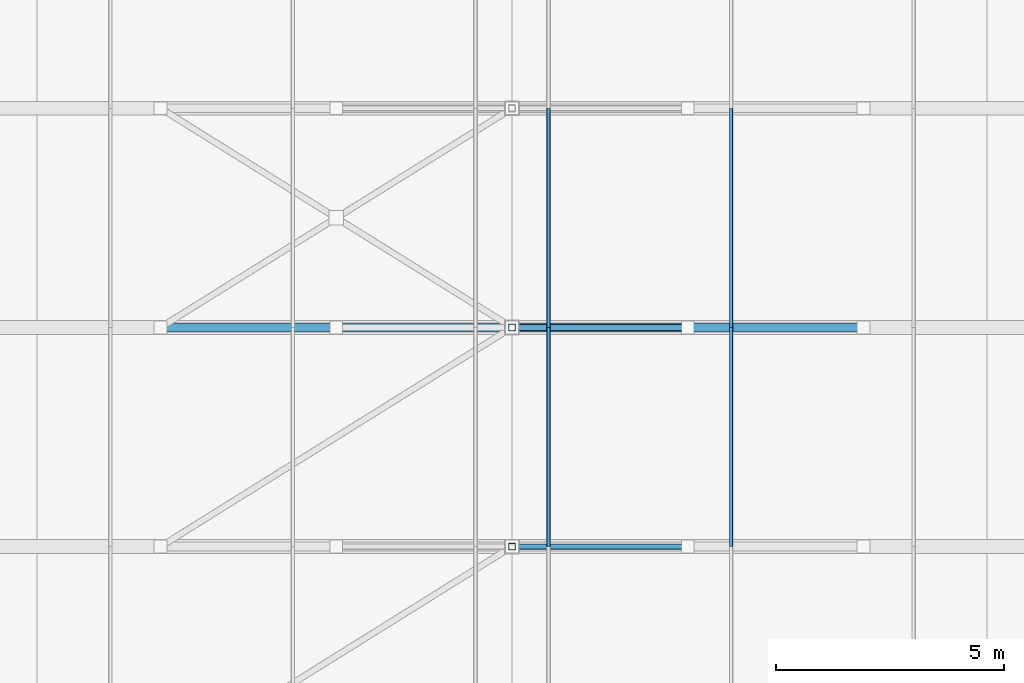
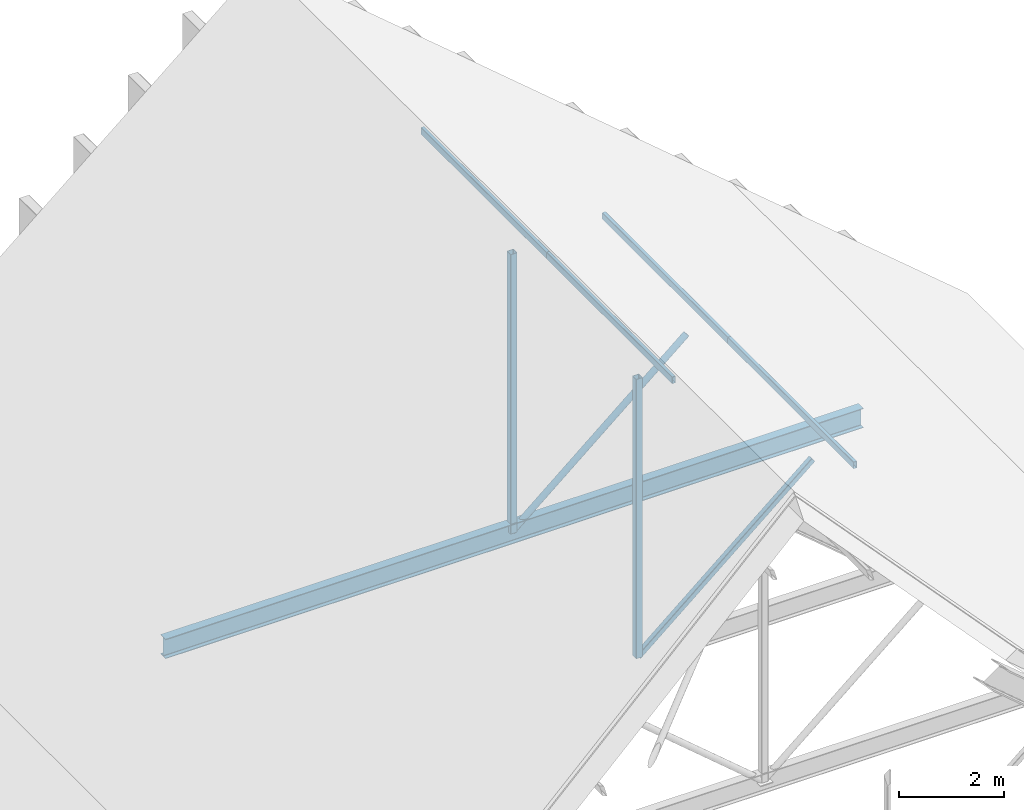
# One storey, part 31 of 60: 8 members, 1 beam.
"""IFC4 building model written with IfcOpenShell, lengths in metres."""

from ifc_helpers import new_model, si_unit, direction, frame, origin, origin_2d, place, context, subcontext, project, spatial, hollow_rectangle, hollow_circle, i_section, extrude, material, material_profile, profile_set, type_object, element, save


model = new_model("IFC4")

# Units and contexts
model_context = context("Model", 3, precision=1e-05, world=origin(), true_north=direction((0.0, 1.0)))
body_context = subcontext(model_context, "Body", "Model", "MODEL_VIEW")
ifc_project = project(units=[si_unit("LENGTHUNIT", "METRE"), si_unit("AREAUNIT", "SQUARE_METRE"), si_unit("VOLUMEUNIT", "CUBIC_METRE"), si_unit("PLANEANGLEUNIT", "RADIAN"), si_unit("MASSUNIT", "GRAM", prefix="KILO")], contexts=[model_context])

# Site, building, storey
site_placement = place(None, origin())
site = spatial("IfcSite", under=ifc_project, at=site_placement, CompositionType="ELEMENT")
building_placement = place(site_placement, origin())
building = spatial("IfcBuilding", under=site, at=building_placement, Name="Nakhvara Creek Congress Hotel", CompositionType="ELEMENT")
storey_placement = place(building_placement, frame((0.0, 0.0, 54.60009765625)))
storey = spatial("IfcBuildingStorey", under=building, at=storey_placement, Name="RL1", CompositionType="ELEMENT", Elevation=54.60009765625)

# Beam
ifc_material_1 = material(Name="Steel S355J2", Category="steel")
ifc_material_profile_1 = material_profile(ifc_material_1, i_section(OverallWidth=0.1904296875, OverallDepth=0.45703125, WebThickness=0.009033203125, FlangeThickness=0.014404296875, FilletRadius=0.01025390625, at=origin_2d()), Name="UB 457x191x74", Category="LoadBearing")
ifc_profile_set_1 = profile_set([ifc_material_profile_1], Name="Steel S355J2")
beam_type = type_object("IfcBeamType", Name="BM-ST-UB457", PredefinedType="BEAM", material=ifc_profile_set_1)
beam_placement = place(storey_placement, frame((156.70166015625, 116.39990234375, 1.599853515625), z_axis=(1.0, 0.0, 0.0), x_axis=(0.0, 1.0, 0.0)))
element("IfcBeam", 1, at=beam_placement, inside=storey, type_object=beam_type, Name="Hotel Gothic Gable Collar Tie 10", PredefinedType="BEAM", context=body_context, shape_type="SweptSolid", body=[
    extrude(i_section(OverallWidth=0.1904296875, OverallDepth=0.45703125, WebThickness=0.009033203125, FlangeThickness=0.014404296875, FilletRadius=0.01025390625, at=origin_2d()), origin(), (0.0, 0.0, 1.0), 15.396728515625),
])

# Members
ifc_material_2 = material(Name="Steel S355J2H", Category="steel")
ifc_material_profile_2 = material_profile(ifc_material_2, hollow_circle(Radius=0.06982421875, WallThickness=0.008056640625, at=origin_2d()), Name="CHS 139.7x8.0", Category="LoadBearing")
ifc_profile_set_2 = profile_set([ifc_material_profile_2], Name="Steel S355J2H")
member_type_1 = type_object("IfcMemberType", Name="MEM-BRC-CHS139H", PredefinedType="BRACE", material=ifc_profile_set_2)
member_1_placement = place(storey_placement, frame((164.39990234375, 116.39990234375, 1.599853515625), z_axis=(0.763373429147, 0.0, 0.645957434876), x_axis=(0.0, 1.0, 0.0)))
element("IfcMember", 2, at=member_1_placement, inside=storey, type_object=member_type_1, Name="Hotel Gable Web Brace E-10", PredefinedType="BRACE", context=body_context, shape_type="SweptSolid", body=[
    extrude(hollow_circle(Radius=0.06982421875, WallThickness=0.008056640625, at=origin_2d()), origin(), (0.0, 0.0, 1.0), 5.042236328125),
])
ifc_material_profile_3 = material_profile(ifc_material_2, hollow_rectangle(XDim=0.1201171875, YDim=0.1201171875, WallThickness=0.008056640625, InnerFilletRadius=0.008056640625, OuterFilletRadius=0.01611328125, at=origin_2d()), Name="SHS 120x120x8.0", Category="LoadBearing")
ifc_profile_set_3 = profile_set([ifc_material_profile_3], Name="Steel S355J2H")
member_type_2 = type_object("IfcMemberType", Name="MEM-BRC-SHS120", PredefinedType="BRACE", material=ifc_profile_set_3)
member_2_placement = place(storey_placement, frame((164.39990234375, 111.60009765625, 1.599853515625), z_axis=(0.763373429147, 0.0, 0.645957434876), x_axis=(0.0, 1.0, 0.0)))
element("IfcMember", 3, at=member_2_placement, inside=storey, type_object=member_type_2, Name="Hotel Gable Web Brace E-09", PredefinedType="BRACE", context=body_context, shape_type="SweptSolid", body=[
    extrude(hollow_rectangle(XDim=0.1201171875, YDim=0.1201171875, WallThickness=0.008056640625, InnerFilletRadius=0.008056640625, OuterFilletRadius=0.01611328125, at=origin_2d()), origin(), (0.0, 0.0, 1.0), 5.042236328125),
])
ifc_material_profile_4 = material_profile(ifc_material_2, hollow_rectangle(XDim=0.080078125, YDim=0.159912109375, WallThickness=0.00634765625, InnerFilletRadius=0.00634765625, OuterFilletRadius=0.0126953125, at=origin_2d()), Name="RHS 160x80x6.3", Category="LoadBearing")
ifc_profile_set_4 = profile_set([ifc_material_profile_4], Name="Steel S355J2H")
member_type_3 = type_object("IfcMemberType", Name="MEM-PUR-RHS160", PredefinedType="PURLIN", material=ifc_profile_set_4)
member_3_placement = place(storey_placement, frame((165.199951171875, 111.60009765625, 7.7568359375), z_axis=(0.0, 1.0, 0.0), x_axis=(-1.0, 0.0, 0.0)))
element("IfcMember", 4, at=member_3_placement, inside=storey, type_object=member_type_3, Name="Hotel Gable Purlin PR03-5.09", PredefinedType="PURLIN", context=body_context, shape_type="SweptSolid", body=[
    extrude(hollow_rectangle(XDim=0.080078125, YDim=0.159912109375, WallThickness=0.00634765625, InnerFilletRadius=0.00634765625, OuterFilletRadius=0.0126953125, at=origin_2d()), origin(), (0.0, 0.0, 1.0), 4.7998046875),
])
member_4_placement = place(storey_placement, frame((165.199951171875, 116.39990234375, 7.7568359375), z_axis=(0.0, 1.0, 0.0), x_axis=(-1.0, 0.0, 0.0)))
element("IfcMember", 5, at=member_4_placement, inside=storey, type_object=member_type_3, Name="Hotel Gable Purlin PR03-5.10", PredefinedType="PURLIN", context=body_context, shape_type="SweptSolid", body=[
    extrude(hollow_rectangle(XDim=0.080078125, YDim=0.159912109375, WallThickness=0.00634765625, InnerFilletRadius=0.00634765625, OuterFilletRadius=0.0126953125, at=origin_2d()), origin(), (0.0, 0.0, 1.0), 4.800048828125),
])
member_5_placement = place(storey_placement, frame((169.199951171875, 111.60009765625, 4.372314453125), z_axis=(0.0, 1.0, 0.0), x_axis=(-1.0, 0.0, 0.0)))
element("IfcMember", 6, at=member_5_placement, inside=storey, type_object=member_type_3, Name="Hotel Gable Purlin PR03-6.09", PredefinedType="PURLIN", context=body_context, shape_type="SweptSolid", body=[
    extrude(hollow_rectangle(XDim=0.080078125, YDim=0.159912109375, WallThickness=0.00634765625, InnerFilletRadius=0.00634765625, OuterFilletRadius=0.0126953125, at=origin_2d()), origin(), (0.0, 0.0, 1.0), 4.7998046875),
])
member_6_placement = place(storey_placement, frame((169.199951171875, 116.39990234375, 4.372314453125), z_axis=(0.0, 1.0, 0.0), x_axis=(-1.0, 0.0, 0.0)))
element("IfcMember", 7, at=member_6_placement, inside=storey, type_object=member_type_3, Name="Hotel Gable Purlin PR03-6.10", PredefinedType="PURLIN", context=body_context, shape_type="SweptSolid", body=[
    extrude(hollow_rectangle(XDim=0.080078125, YDim=0.159912109375, WallThickness=0.00634765625, InnerFilletRadius=0.00634765625, OuterFilletRadius=0.0126953125, at=origin_2d()), origin(), (0.0, 0.0, 1.0), 4.800048828125),
])
ifc_material_profile_5 = material_profile(ifc_material_2, hollow_rectangle(XDim=0.14990234375, YDim=0.14990234375, WallThickness=0.008056640625, InnerFilletRadius=0.008056640625, OuterFilletRadius=0.01611328125, at=origin_2d()), Name="SHS 150x150x8.0", Category="LoadBearing")
ifc_profile_set_5 = profile_set([ifc_material_profile_5], Name="Steel S355J2H")
member_type_4 = type_object("IfcMemberType", Name="MEM-STR-SHS150", PredefinedType="STRUT", material=ifc_profile_set_5)
for number, where, z_axis, x_axis, name in (
    (8, (164.39990234375, 111.60009765625, 1.599853515625), (0.0, 0.0, 1.0), (1.0, 0.0, 0.0), "Hotel Gable King-Post Strut 09"),
    (9, (164.39990234375, 116.39990234375, 1.599853515625), (0.0, 0.0, 1.0), (1.0, 0.0, 0.0), "Hotel Gable King-Post Strut 10"),
):
    element("IfcMember", number, at=place(storey_placement, frame(where, z_axis=z_axis, x_axis=x_axis)), inside=storey, type_object=member_type_4, Name=name, PredefinedType="STRUT", context=body_context, shape_type="SweptSolid", body=[
        extrude(hollow_rectangle(XDim=0.14990234375, YDim=0.14990234375, WallThickness=0.008056640625, InnerFilletRadius=0.008056640625, OuterFilletRadius=0.01611328125, at=origin_2d()), origin(), (0.0, 0.0, 1.0), 6.513916015625),
    ])

save(model, "model.ifc")
